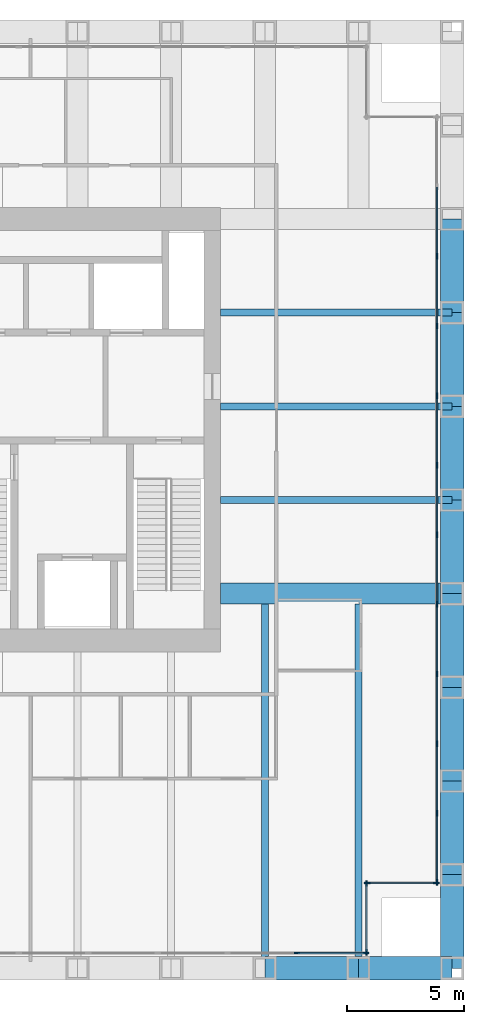
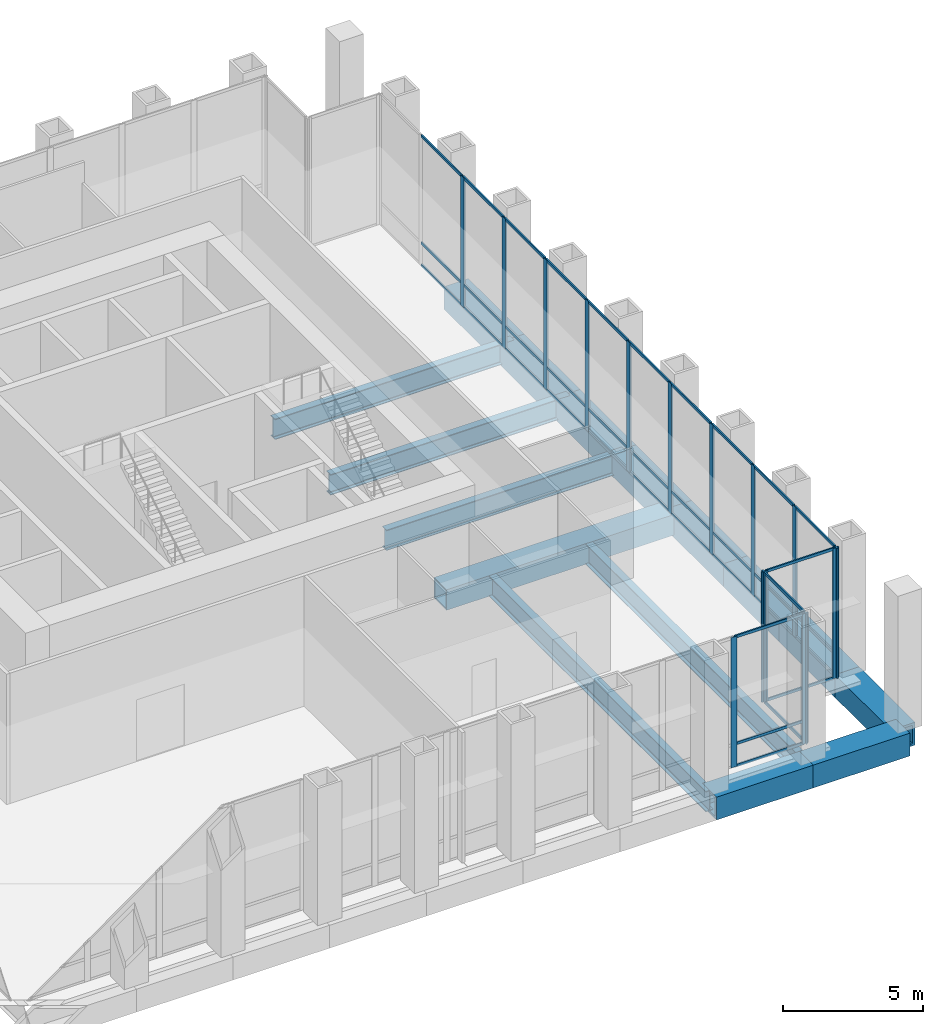
# One storey, part 5 of 12: 53 members, 16 beams, 4 elements without a shape of their own.
"""IFC4 building model written with IfcOpenShell, lengths in metres."""

from ifc_helpers import new_model, si_unit, direction, frame, origin, origin_2d, place, context, subcontext, project, spatial, rectangle, hollow_rectangle, i_section, extrude, material, material_profile, profile_set, type_object, element, aggregate, save


model = new_model("IFC4")

# Units and contexts
model_context = context("Model", 3, precision=1e-05, world=origin(), true_north=direction((0.0, 1.0)))
body_context = subcontext(model_context, "Body", "Model", "MODEL_VIEW")
ifc_project = project(units=[si_unit("LENGTHUNIT", "METRE"), si_unit("AREAUNIT", "SQUARE_METRE"), si_unit("VOLUMEUNIT", "CUBIC_METRE"), si_unit("PLANEANGLEUNIT", "RADIAN"), si_unit("MASSUNIT", "GRAM", prefix="KILO")], contexts=[model_context])

# Site, building, storey
site_placement = place(None, origin())
site = spatial("IfcSite", under=ifc_project, at=site_placement, CompositionType="ELEMENT")
building_placement = place(site_placement, origin())
building = spatial("IfcBuilding", under=site, at=building_placement, Name="Rimbunsela Tower", CompositionType="ELEMENT")
storey_placement = place(building_placement, frame((0.0, 0.0, 298.199951171875)))
storey = spatial("IfcBuildingStorey", under=building, at=storey_placement, Name="L72", CompositionType="ELEMENT", Elevation=298.199951171875)

# Beams
ifc_material_1 = material(Name="Steel BJ 55 (fy 410 MPa)", Category="steel")
ifc_material_profile_1 = material_profile(ifc_material_1, hollow_rectangle(XDim=1.0, YDim=1.0, WallThickness=0.10009765625, at=origin_2d()), Name="BOX 1000x1000x100")
ifc_profile_set_1 = profile_set([ifc_material_profile_1], Name="Steel BJ 55 (fy 410 MPa)")
beam_type_1 = type_object("IfcBeamType", Name="Beam BOX 1000x1000x100", PredefinedType="BEAM", material=ifc_profile_set_1)
for number, where, z_axis, x_axis, name in (
    (1, (38.0, 4.0, -0.64990234375), (1.0, 0.0, 0.0), (0.0, 1.0, 0.0), "Beam B3 L72"),
    (2, (42.0, 4.0, -0.64990234375), (1.0, 0.0, 0.0), (0.0, 1.0, 0.0), "Beam B3 L72"),
    (3, (46.0, 4.0, -0.64990234375), (0.0, 1.0, 0.0), (-1.0, 0.0, 0.0), "Beam B3 L72"),
    (4, (46.0, 8.0, -0.64990234375), (0.0, 1.0, 0.0), (-1.0, 0.0, 0.0), "Beam B3 L72"),
    (5, (46.0, 12.0, -0.64990234375), (0.0, 1.0, 0.0), (-1.0, 0.0, 0.0), "Beam B3 L72"),
    (6, (46.0, 16.0, -0.64990234375), (0.0, 1.0, 0.0), (-1.0, 0.0, 0.0), "Beam B3 L72"),
    (7, (46.0, 20.0, -0.64990234375), (0.0, 1.0, 0.0), (-1.0, 0.0, 0.0), "Beam B3 L72"),
    (8, (46.0, 24.0, -0.64990234375), (0.0, 1.0, 0.0), (-1.0, 0.0, 0.0), "Beam B3 L72"),
    (9, (46.0, 28.0, -0.64990234375), (0.0, 1.0, 0.0), (-1.0, 0.0, 0.0), "Beam B3 L72"),
    (10, (46.0, 32.0, -0.64990234375), (0.0, 1.0, 0.0), (-1.0, 0.0, 0.0), "Beam B3 L72"),
):
    element("IfcBeam", number, at=place(storey_placement, frame(where, z_axis=z_axis, x_axis=x_axis)), inside=storey, type_object=beam_type_1, Name=name, PredefinedType="BEAM", context=body_context, shape_type="SweptSolid", body=[
        extrude(hollow_rectangle(XDim=1.0, YDim=1.0, WallThickness=0.10009765625, at=origin_2d()), origin(), (0.0, 0.0, 1.0), 4.0),
    ])
ifc_material_2 = material(Name="Steel BJ 55 (fy 410 MPa)", Category="steel")
ifc_material_profile_2 = material_profile(ifc_material_2, hollow_rectangle(XDim=0.89990234375, YDim=0.89990234375, WallThickness=0.06005859375, at=origin_2d()), Name="BOX 900x900x60")
ifc_profile_set_2 = profile_set([ifc_material_profile_2], Name="Steel BJ 55 (fy 410 MPa)")
beam_type_2 = type_object("IfcBeamType", Name="Beam BOX 900x900x60", PredefinedType="BEAM", material=ifc_profile_set_2)
beam_placement = place(storey_placement, frame((36.10009765625, 20.0, -0.599853515625), z_axis=(1.0, 0.0, 0.0), x_axis=(0.0, 1.0, 0.0)))
element("IfcBeam", 11, at=beam_placement, inside=storey, type_object=beam_type_2, Name="Beam B1 L72", PredefinedType="BEAM", context=body_context, shape_type="SweptSolid", body=[
    extrude(hollow_rectangle(XDim=0.89990234375, YDim=0.89990234375, WallThickness=0.06005859375, at=origin_2d()), origin(), (0.0, 0.0, 1.0), 9.89990234375),
])
ifc_material_3 = material(Name="Steel BJ 55 (fy 410 MPa)", Category="steel")
ifc_material_profile_3 = material_profile(ifc_material_3, i_section(OverallWidth=0.300048828125, OverallDepth=0.89990234375, WebThickness=0.01611328125, FlangeThickness=0.028076171875, FilletRadius=0.028076171875, at=origin_2d()), Name="H 900x300x16x28")
ifc_profile_set_3 = profile_set([ifc_material_profile_3], Name="Steel BJ 55 (fy 410 MPa)")
beam_type_3 = type_object("IfcBeamType", Name="Beam H 900x300x16x28", PredefinedType="BEAM", material=ifc_profile_set_3)
for number, where, z_axis, x_axis, name in (
    (12, (36.10009765625, 24.0, -0.599853515625), (1.0, 0.0, 0.0), (0.0, 1.0, 0.0), "Beam B2 L72"),
    (13, (36.10009765625, 28.0, -0.599853515625), (1.0, 0.0, 0.0), (0.0, 1.0, 0.0), "Beam B2 L72"),
    (14, (36.10009765625, 32.0, -0.599853515625), (1.0, 0.0, 0.0), (0.0, 1.0, 0.0), "Beam B2 L72"),
):
    element("IfcBeam", number, at=place(storey_placement, frame(where, z_axis=z_axis, x_axis=x_axis)), inside=storey, type_object=beam_type_3, Name=name, PredefinedType="BEAM", context=body_context, shape_type="SweptSolid", body=[
        extrude(i_section(OverallWidth=0.300048828125, OverallDepth=0.89990234375, WebThickness=0.01611328125, FlangeThickness=0.028076171875, FilletRadius=0.028076171875, at=origin_2d()), origin(), (0.0, 0.0, 1.0), 9.89990234375),
    ])
for number, where, z_axis, x_axis, name in (
    (15, (38.0, 4.0, -0.599853515625), (0.0, 1.0, 0.0), (-1.0, 0.0, 0.0), "Beam B2 L72"),
    (16, (42.0, 4.0, -0.599853515625), (0.0, 1.0, 0.0), (-1.0, 0.0, 0.0), "Beam B2 L72"),
):
    element("IfcBeam", number, at=place(storey_placement, frame(where, z_axis=z_axis, x_axis=x_axis)), inside=storey, type_object=beam_type_3, Name=name, PredefinedType="BEAM", context=body_context, shape_type="SweptSolid", body=[
        extrude(i_section(OverallWidth=0.300048828125, OverallDepth=0.89990234375, WebThickness=0.01611328125, FlangeThickness=0.028076171875, FilletRadius=0.028076171875, at=origin_2d()), origin(), (0.0, 0.0, 1.0), 15.550048828125),
    ])

# Curtain wall, members
ifc_material_4 = material(Name="Aluminium curtain wall", Category="aluminium")
curtain_wall_type_1 = type_object("IfcCurtainWallType", Name="Corner glazing", PredefinedType="USERDEFINED", material=ifc_material_4)
curtain_wall_1_placement = place(storey_placement, origin())
curtain_wall_1 = element("IfcCurtainWall", 17, at=curtain_wall_1_placement, inside=storey, type_object=curtain_wall_type_1, Name="Corner glazing L72", ObjectType="CORNER GLAZING", PredefinedType="USERDEFINED")
ifc_material_5 = material(Name="Aluminium mullion", Category="aluminium")
ifc_material_profile_4 = material_profile(ifc_material_5, rectangle(XDim=0.06005859375, YDim=0.25, at=origin_2d()), Name="Mullion 60x250")
ifc_profile_set_4 = profile_set([ifc_material_profile_4], Name="Aluminium mullion")
member_type_1 = type_object("IfcMemberType", Name="Curtain wall mullion 60x250", PredefinedType="MULLION", material=ifc_profile_set_4)
member_1_placement = place(storey_placement, frame((42.35009765625, 4.679931640625, 0.0), z_axis=(0.0, 0.0, 1.0), x_axis=(-1.0, 0.0, 0.0)))
member_1 = element("IfcMember", 18, at=member_1_placement, type_object=member_type_1, Name="CW5 mullion 1", PredefinedType="MULLION", context=body_context, shape_type="SweptSolid", body=[
    extrude(rectangle(XDim=0.06005859375, YDim=0.25, at=origin_2d()), origin(), (0.0, 0.0, 1.0), 5.699951171875),
])
member_2_placement = place(storey_placement, frame((42.35009765625, 7.6201171875, 0.0), z_axis=(0.0, 0.0, 1.0), x_axis=(-1.0, 0.0, 0.0)))
member_2 = element("IfcMember", 19, at=member_2_placement, type_object=member_type_1, Name="CW5 mullion 2", PredefinedType="MULLION", context=body_context, shape_type="SweptSolid", body=[
    extrude(rectangle(XDim=0.06005859375, YDim=0.25, at=origin_2d()), origin(), (0.0, 0.0, 1.0), 5.699951171875),
])

curtain_wall_2_placement = place(storey_placement, origin())
curtain_wall_2 = element("IfcCurtainWall", 20, at=curtain_wall_2_placement, inside=storey, type_object=curtain_wall_type_1, Name="Corner glazing L72", ObjectType="CORNER GLAZING", PredefinedType="USERDEFINED")
member_3_placement = place(storey_placement, frame((42.3798828125, 7.64990234375, 0.0), z_axis=(0.0, 0.0, 1.0), x_axis=(0.0, 1.0, 0.0)))
member_3 = element("IfcMember", 21, at=member_3_placement, type_object=member_type_1, Name="CW5 mullion 1", PredefinedType="MULLION", context=body_context, shape_type="SweptSolid", body=[
    extrude(rectangle(XDim=0.06005859375, YDim=0.25, at=origin_2d()), origin(), (0.0, 0.0, 1.0), 5.699951171875),
])
member_4_placement = place(storey_placement, frame((45.320068359375, 7.64990234375, 0.0), z_axis=(0.0, 0.0, 1.0), x_axis=(0.0, 1.0, 0.0)))
member_4 = element("IfcMember", 22, at=member_4_placement, type_object=member_type_1, Name="CW5 mullion 2", PredefinedType="MULLION", context=body_context, shape_type="SweptSolid", body=[
    extrude(rectangle(XDim=0.06005859375, YDim=0.25, at=origin_2d()), origin(), (0.0, 0.0, 1.0), 5.699951171875),
])

ifc_material_6 = material(Name="Aluminium curtain wall", Category="aluminium")
curtain_wall_type_2 = type_object("IfcCurtainWallType", Name="Crown glazing", PredefinedType="USERDEFINED", material=ifc_material_6)
curtain_wall_3_placement = place(storey_placement, origin())
curtain_wall_3 = element("IfcCurtainWall", 23, at=curtain_wall_3_placement, inside=storey, type_object=curtain_wall_type_2, Name="Crown glazing L72", ObjectType="CROWN GLAZING", PredefinedType="USERDEFINED")
member_5_placement = place(storey_placement, frame((45.35009765625, 7.679931640625, 0.0), z_axis=(0.0, 0.0, 1.0), x_axis=(-1.0, 0.0, 0.0)))
member_5 = element("IfcMember", 24, at=member_5_placement, type_object=member_type_1, Name="CW6 mullion 1", PredefinedType="MULLION", context=body_context, shape_type="SweptSolid", body=[
    extrude(rectangle(XDim=0.06005859375, YDim=0.25, at=origin_2d()), origin(), (0.0, 0.0, 1.0), 5.699951171875),
])
member_6_placement = place(storey_placement, frame((45.35009765625, 10.622802734375, 0.0), z_axis=(0.0, 0.0, 1.0), x_axis=(-1.0, 0.0, 0.0)))
member_6 = element("IfcMember", 25, at=member_6_placement, type_object=member_type_1, Name="CW6 mullion 2", PredefinedType="MULLION", context=body_context, shape_type="SweptSolid", body=[
    extrude(rectangle(XDim=0.06005859375, YDim=0.25, at=origin_2d()), origin(), (0.0, 0.0, 1.0), 5.699951171875),
])
member_7_placement = place(storey_placement, frame((45.35009765625, 13.595458984375, 0.0), z_axis=(0.0, 0.0, 1.0), x_axis=(-1.0, 0.0, 0.0)))
member_7 = element("IfcMember", 26, at=member_7_placement, type_object=member_type_1, Name="CW6 mullion 3", PredefinedType="MULLION", context=body_context, shape_type="SweptSolid", body=[
    extrude(rectangle(XDim=0.06005859375, YDim=0.25, at=origin_2d()), origin(), (0.0, 0.0, 1.0), 5.699951171875),
])
member_8_placement = place(storey_placement, frame((45.35009765625, 16.568115234375, 0.0), z_axis=(0.0, 0.0, 1.0), x_axis=(-1.0, 0.0, 0.0)))
member_8 = element("IfcMember", 27, at=member_8_placement, type_object=member_type_1, Name="CW6 mullion 4", PredefinedType="MULLION", context=body_context, shape_type="SweptSolid", body=[
    extrude(rectangle(XDim=0.06005859375, YDim=0.25, at=origin_2d()), origin(), (0.0, 0.0, 1.0), 5.699951171875),
])
member_9_placement = place(storey_placement, frame((45.35009765625, 19.541015625, 0.0), z_axis=(0.0, 0.0, 1.0), x_axis=(-1.0, 0.0, 0.0)))
member_9 = element("IfcMember", 28, at=member_9_placement, type_object=member_type_1, Name="CW6 mullion 5", PredefinedType="MULLION", context=body_context, shape_type="SweptSolid", body=[
    extrude(rectangle(XDim=0.06005859375, YDim=0.25, at=origin_2d()), origin(), (0.0, 0.0, 1.0), 5.699951171875),
])
member_10_placement = place(storey_placement, frame((45.35009765625, 22.513671875, 0.0), z_axis=(0.0, 0.0, 1.0), x_axis=(-1.0, 0.0, 0.0)))
member_10 = element("IfcMember", 29, at=member_10_placement, type_object=member_type_1, Name="CW6 mullion 6", PredefinedType="MULLION", context=body_context, shape_type="SweptSolid", body=[
    extrude(rectangle(XDim=0.06005859375, YDim=0.25, at=origin_2d()), origin(), (0.0, 0.0, 1.0), 5.699951171875),
])
member_11_placement = place(storey_placement, frame((45.35009765625, 25.486328125, 0.0), z_axis=(0.0, 0.0, 1.0), x_axis=(-1.0, 0.0, 0.0)))
member_11 = element("IfcMember", 30, at=member_11_placement, type_object=member_type_1, Name="CW6 mullion 7", PredefinedType="MULLION", context=body_context, shape_type="SweptSolid", body=[
    extrude(rectangle(XDim=0.06005859375, YDim=0.25, at=origin_2d()), origin(), (0.0, 0.0, 1.0), 5.699951171875),
])
member_12_placement = place(storey_placement, frame((45.35009765625, 28.458984375, 0.0), z_axis=(0.0, 0.0, 1.0), x_axis=(-1.0, 0.0, 0.0)))
member_12 = element("IfcMember", 31, at=member_12_placement, type_object=member_type_1, Name="CW6 mullion 8", PredefinedType="MULLION", context=body_context, shape_type="SweptSolid", body=[
    extrude(rectangle(XDim=0.06005859375, YDim=0.25, at=origin_2d()), origin(), (0.0, 0.0, 1.0), 5.699951171875),
])
member_13_placement = place(storey_placement, frame((45.35009765625, 31.431884765625, 0.0), z_axis=(0.0, 0.0, 1.0), x_axis=(-1.0, 0.0, 0.0)))
member_13 = element("IfcMember", 32, at=member_13_placement, type_object=member_type_1, Name="CW6 mullion 9", PredefinedType="MULLION", context=body_context, shape_type="SweptSolid", body=[
    extrude(rectangle(XDim=0.06005859375, YDim=0.25, at=origin_2d()), origin(), (0.0, 0.0, 1.0), 5.699951171875),
])
member_14_placement = place(storey_placement, frame((45.35009765625, 34.404541015625, 0.0), z_axis=(0.0, 0.0, 1.0), x_axis=(-1.0, 0.0, 0.0)))
member_14 = element("IfcMember", 33, at=member_14_placement, type_object=member_type_1, Name="CW6 mullion 10", PredefinedType="MULLION", context=body_context, shape_type="SweptSolid", body=[
    extrude(rectangle(XDim=0.06005859375, YDim=0.25, at=origin_2d()), origin(), (0.0, 0.0, 1.0), 5.699951171875),
])

curtain_wall_4_placement = place(storey_placement, origin())
curtain_wall_4 = element("IfcCurtainWall", 34, at=curtain_wall_4_placement, inside=storey, type_object=curtain_wall_type_2, Name="Crown glazing L72", ObjectType="CROWN GLAZING", PredefinedType="USERDEFINED")
member_15_placement = place(storey_placement, frame((39.377197265625, 4.64990234375, 0.0), z_axis=(0.0, 0.0, 1.0), x_axis=(0.0, 1.0, 0.0)))
member_15 = element("IfcMember", 35, at=member_15_placement, type_object=member_type_1, Name="CW6 mullion 11", PredefinedType="MULLION", context=body_context, shape_type="SweptSolid", body=[
    extrude(rectangle(XDim=0.06005859375, YDim=0.25, at=origin_2d()), origin(), (0.0, 0.0, 1.0), 5.699951171875),
])
member_16_placement = place(storey_placement, frame((42.320068359375, 4.64990234375, 0.0), z_axis=(0.0, 0.0, 1.0), x_axis=(0.0, 1.0, 0.0)))
member_16 = element("IfcMember", 36, at=member_16_placement, type_object=member_type_1, Name="CW6 mullion 12", PredefinedType="MULLION", context=body_context, shape_type="SweptSolid", body=[
    extrude(rectangle(XDim=0.06005859375, YDim=0.25, at=origin_2d()), origin(), (0.0, 0.0, 1.0), 5.699951171875),
])

# Member
ifc_material_7 = material(Name="Aluminium transom", Category="aluminium")
ifc_material_profile_5 = material_profile(ifc_material_7, rectangle(XDim=0.06005859375, YDim=0.1201171875, at=origin_2d()), Name="Transom 60x120")
ifc_profile_set_5 = profile_set([ifc_material_profile_5], Name="Aluminium transom")
member_type_2 = type_object("IfcMemberType", Name="Curtain wall transom 60x120", PredefinedType="USERDEFINED", material=ifc_profile_set_5)
member_17_placement = place(storey_placement, frame((42.35009765625, 4.7099609375, 0.030029296875), z_axis=(0.0, 1.0, 0.0), x_axis=(-1.0, 0.0, 0.0)))
member_17 = element("IfcMember", 37, at=member_17_placement, type_object=member_type_2, Name="CW5 transom 1.1", ObjectType="TRANSOM", PredefinedType="USERDEFINED", context=body_context, shape_type="SweptSolid", body=[
    extrude(rectangle(XDim=0.06005859375, YDim=0.1201171875, at=origin_2d()), origin(), (0.0, 0.0, 1.0), 2.880126953125),
])

member_18_placement = place(storey_placement, frame((42.35009765625, 4.7099609375, 5.670166015625), z_axis=(0.0, 1.0, 0.0), x_axis=(-1.0, 0.0, 0.0)))
member_18 = element("IfcMember", 38, at=member_18_placement, type_object=member_type_2, Name="CW5 transom 1.2", ObjectType="TRANSOM", PredefinedType="USERDEFINED", context=body_context, shape_type="SweptSolid", body=[
    extrude(rectangle(XDim=0.06005859375, YDim=0.1201171875, at=origin_2d()), origin(), (0.0, 0.0, 1.0), 2.880126953125),
])

aggregate(curtain_wall_1, [member_1, member_2, member_17, member_18])

member_19_placement = place(storey_placement, frame((42.409912109375, 7.64990234375, 0.030029296875), z_axis=(1.0, 0.0, 0.0), x_axis=(0.0, 1.0, 0.0)))
member_19 = element("IfcMember", 39, at=member_19_placement, type_object=member_type_2, Name="CW5 transom 1.1", ObjectType="TRANSOM", PredefinedType="USERDEFINED", context=body_context, shape_type="SweptSolid", body=[
    extrude(rectangle(XDim=0.06005859375, YDim=0.1201171875, at=origin_2d()), origin(), (0.0, 0.0, 1.0), 2.880126953125),
])

member_20_placement = place(storey_placement, frame((42.409912109375, 7.64990234375, 5.670166015625), z_axis=(1.0, 0.0, 0.0), x_axis=(0.0, 1.0, 0.0)))
member_20 = element("IfcMember", 40, at=member_20_placement, type_object=member_type_2, Name="CW5 transom 1.2", ObjectType="TRANSOM", PredefinedType="USERDEFINED", context=body_context, shape_type="SweptSolid", body=[
    extrude(rectangle(XDim=0.06005859375, YDim=0.1201171875, at=origin_2d()), origin(), (0.0, 0.0, 1.0), 2.880126953125),
])

aggregate(curtain_wall_2, [member_3, member_4, member_19, member_20])

member_21_placement = place(storey_placement, frame((45.35009765625, 7.7099609375, 0.030029296875), z_axis=(0.0, 1.0, 0.0), x_axis=(-1.0, 0.0, 0.0)))
member_21 = element("IfcMember", 41, at=member_21_placement, type_object=member_type_2, Name="CW6 transom 1.1", ObjectType="TRANSOM", PredefinedType="USERDEFINED", context=body_context, shape_type="SweptSolid", body=[
    extrude(rectangle(XDim=0.06005859375, YDim=0.1201171875, at=origin_2d()), origin(), (0.0, 0.0, 1.0), 2.8828125),
])

member_22_placement = place(storey_placement, frame((45.35009765625, 7.7099609375, 1.0), z_axis=(0.0, 1.0, 0.0), x_axis=(-1.0, 0.0, 0.0)))
member_22 = element("IfcMember", 42, at=member_22_placement, type_object=member_type_2, Name="CW6 transom 1.2", ObjectType="TRANSOM", PredefinedType="USERDEFINED", context=body_context, shape_type="SweptSolid", body=[
    extrude(rectangle(XDim=0.06005859375, YDim=0.1201171875, at=origin_2d()), origin(), (0.0, 0.0, 1.0), 2.8828125),
])

member_23_placement = place(storey_placement, frame((45.35009765625, 7.7099609375, 5.670166015625), z_axis=(0.0, 1.0, 0.0), x_axis=(-1.0, 0.0, 0.0)))
member_23 = element("IfcMember", 43, at=member_23_placement, type_object=member_type_2, Name="CW6 transom 1.3", ObjectType="TRANSOM", PredefinedType="USERDEFINED", context=body_context, shape_type="SweptSolid", body=[
    extrude(rectangle(XDim=0.06005859375, YDim=0.1201171875, at=origin_2d()), origin(), (0.0, 0.0, 1.0), 2.8828125),
])

member_24_placement = place(storey_placement, frame((45.35009765625, 10.65283203125, 0.030029296875), z_axis=(0.0, 1.0, 0.0), x_axis=(-1.0, 0.0, 0.0)))
member_24 = element("IfcMember", 44, at=member_24_placement, type_object=member_type_2, Name="CW6 transom 2.1", ObjectType="TRANSOM", PredefinedType="USERDEFINED", context=body_context, shape_type="SweptSolid", body=[
    extrude(rectangle(XDim=0.06005859375, YDim=0.1201171875, at=origin_2d()), origin(), (0.0, 0.0, 1.0), 2.91259765625),
])

member_25_placement = place(storey_placement, frame((45.35009765625, 10.65283203125, 1.0), z_axis=(0.0, 1.0, 0.0), x_axis=(-1.0, 0.0, 0.0)))
member_25 = element("IfcMember", 45, at=member_25_placement, type_object=member_type_2, Name="CW6 transom 2.2", ObjectType="TRANSOM", PredefinedType="USERDEFINED", context=body_context, shape_type="SweptSolid", body=[
    extrude(rectangle(XDim=0.06005859375, YDim=0.1201171875, at=origin_2d()), origin(), (0.0, 0.0, 1.0), 2.91259765625),
])

member_26_placement = place(storey_placement, frame((45.35009765625, 10.65283203125, 5.670166015625), z_axis=(0.0, 1.0, 0.0), x_axis=(-1.0, 0.0, 0.0)))
member_26 = element("IfcMember", 46, at=member_26_placement, type_object=member_type_2, Name="CW6 transom 2.3", ObjectType="TRANSOM", PredefinedType="USERDEFINED", context=body_context, shape_type="SweptSolid", body=[
    extrude(rectangle(XDim=0.06005859375, YDim=0.1201171875, at=origin_2d()), origin(), (0.0, 0.0, 1.0), 2.91259765625),
])

member_27_placement = place(storey_placement, frame((45.35009765625, 13.62548828125, 0.030029296875), z_axis=(0.0, 1.0, 0.0), x_axis=(-1.0, 0.0, 0.0)))
member_27 = element("IfcMember", 47, at=member_27_placement, type_object=member_type_2, Name="CW6 transom 3.1", ObjectType="TRANSOM", PredefinedType="USERDEFINED", context=body_context, shape_type="SweptSolid", body=[
    extrude(rectangle(XDim=0.06005859375, YDim=0.1201171875, at=origin_2d()), origin(), (0.0, 0.0, 1.0), 2.91259765625),
])

member_28_placement = place(storey_placement, frame((45.35009765625, 13.62548828125, 1.0), z_axis=(0.0, 1.0, 0.0), x_axis=(-1.0, 0.0, 0.0)))
member_28 = element("IfcMember", 48, at=member_28_placement, type_object=member_type_2, Name="CW6 transom 3.2", ObjectType="TRANSOM", PredefinedType="USERDEFINED", context=body_context, shape_type="SweptSolid", body=[
    extrude(rectangle(XDim=0.06005859375, YDim=0.1201171875, at=origin_2d()), origin(), (0.0, 0.0, 1.0), 2.91259765625),
])

member_29_placement = place(storey_placement, frame((45.35009765625, 13.62548828125, 5.670166015625), z_axis=(0.0, 1.0, 0.0), x_axis=(-1.0, 0.0, 0.0)))
member_29 = element("IfcMember", 49, at=member_29_placement, type_object=member_type_2, Name="CW6 transom 3.3", ObjectType="TRANSOM", PredefinedType="USERDEFINED", context=body_context, shape_type="SweptSolid", body=[
    extrude(rectangle(XDim=0.06005859375, YDim=0.1201171875, at=origin_2d()), origin(), (0.0, 0.0, 1.0), 2.91259765625),
])

member_30_placement = place(storey_placement, frame((45.35009765625, 16.59814453125, 0.030029296875), z_axis=(0.0, 1.0, 0.0), x_axis=(-1.0, 0.0, 0.0)))
member_30 = element("IfcMember", 50, at=member_30_placement, type_object=member_type_2, Name="CW6 transom 4.1", ObjectType="TRANSOM", PredefinedType="USERDEFINED", context=body_context, shape_type="SweptSolid", body=[
    extrude(rectangle(XDim=0.06005859375, YDim=0.1201171875, at=origin_2d()), origin(), (0.0, 0.0, 1.0), 2.912841796875),
])

member_31_placement = place(storey_placement, frame((45.35009765625, 16.59814453125, 1.0), z_axis=(0.0, 1.0, 0.0), x_axis=(-1.0, 0.0, 0.0)))
member_31 = element("IfcMember", 51, at=member_31_placement, type_object=member_type_2, Name="CW6 transom 4.2", ObjectType="TRANSOM", PredefinedType="USERDEFINED", context=body_context, shape_type="SweptSolid", body=[
    extrude(rectangle(XDim=0.06005859375, YDim=0.1201171875, at=origin_2d()), origin(), (0.0, 0.0, 1.0), 2.912841796875),
])

member_32_placement = place(storey_placement, frame((45.35009765625, 16.59814453125, 5.670166015625), z_axis=(0.0, 1.0, 0.0), x_axis=(-1.0, 0.0, 0.0)))
member_32 = element("IfcMember", 52, at=member_32_placement, type_object=member_type_2, Name="CW6 transom 4.3", ObjectType="TRANSOM", PredefinedType="USERDEFINED", context=body_context, shape_type="SweptSolid", body=[
    extrude(rectangle(XDim=0.06005859375, YDim=0.1201171875, at=origin_2d()), origin(), (0.0, 0.0, 1.0), 2.912841796875),
])

member_33_placement = place(storey_placement, frame((45.35009765625, 19.57080078125, 0.030029296875), z_axis=(0.0, 1.0, 0.0), x_axis=(-1.0, 0.0, 0.0)))
member_33 = element("IfcMember", 53, at=member_33_placement, type_object=member_type_2, Name="CW6 transom 5.1", ObjectType="TRANSOM", PredefinedType="USERDEFINED", context=body_context, shape_type="SweptSolid", body=[
    extrude(rectangle(XDim=0.06005859375, YDim=0.1201171875, at=origin_2d()), origin(), (0.0, 0.0, 1.0), 2.912841796875),
])

member_34_placement = place(storey_placement, frame((45.35009765625, 19.57080078125, 1.0), z_axis=(0.0, 1.0, 0.0), x_axis=(-1.0, 0.0, 0.0)))
member_34 = element("IfcMember", 54, at=member_34_placement, type_object=member_type_2, Name="CW6 transom 5.2", ObjectType="TRANSOM", PredefinedType="USERDEFINED", context=body_context, shape_type="SweptSolid", body=[
    extrude(rectangle(XDim=0.06005859375, YDim=0.1201171875, at=origin_2d()), origin(), (0.0, 0.0, 1.0), 2.912841796875),
])

member_35_placement = place(storey_placement, frame((45.35009765625, 19.57080078125, 5.670166015625), z_axis=(0.0, 1.0, 0.0), x_axis=(-1.0, 0.0, 0.0)))
member_35 = element("IfcMember", 55, at=member_35_placement, type_object=member_type_2, Name="CW6 transom 5.3", ObjectType="TRANSOM", PredefinedType="USERDEFINED", context=body_context, shape_type="SweptSolid", body=[
    extrude(rectangle(XDim=0.06005859375, YDim=0.1201171875, at=origin_2d()), origin(), (0.0, 0.0, 1.0), 2.912841796875),
])

member_36_placement = place(storey_placement, frame((45.35009765625, 22.543701171875, 0.030029296875), z_axis=(0.0, 1.0, 0.0), x_axis=(-1.0, 0.0, 0.0)))
member_36 = element("IfcMember", 56, at=member_36_placement, type_object=member_type_2, Name="CW6 transom 6.1", ObjectType="TRANSOM", PredefinedType="USERDEFINED", context=body_context, shape_type="SweptSolid", body=[
    extrude(rectangle(XDim=0.06005859375, YDim=0.1201171875, at=origin_2d()), origin(), (0.0, 0.0, 1.0), 2.91259765625),
])

member_37_placement = place(storey_placement, frame((45.35009765625, 22.543701171875, 1.0), z_axis=(0.0, 1.0, 0.0), x_axis=(-1.0, 0.0, 0.0)))
member_37 = element("IfcMember", 57, at=member_37_placement, type_object=member_type_2, Name="CW6 transom 6.2", ObjectType="TRANSOM", PredefinedType="USERDEFINED", context=body_context, shape_type="SweptSolid", body=[
    extrude(rectangle(XDim=0.06005859375, YDim=0.1201171875, at=origin_2d()), origin(), (0.0, 0.0, 1.0), 2.91259765625),
])

member_38_placement = place(storey_placement, frame((45.35009765625, 22.543701171875, 5.670166015625), z_axis=(0.0, 1.0, 0.0), x_axis=(-1.0, 0.0, 0.0)))
member_38 = element("IfcMember", 58, at=member_38_placement, type_object=member_type_2, Name="CW6 transom 6.3", ObjectType="TRANSOM", PredefinedType="USERDEFINED", context=body_context, shape_type="SweptSolid", body=[
    extrude(rectangle(XDim=0.06005859375, YDim=0.1201171875, at=origin_2d()), origin(), (0.0, 0.0, 1.0), 2.91259765625),
])

member_39_placement = place(storey_placement, frame((45.35009765625, 25.516357421875, 0.030029296875), z_axis=(0.0, 1.0, 0.0), x_axis=(-1.0, 0.0, 0.0)))
member_39 = element("IfcMember", 59, at=member_39_placement, type_object=member_type_2, Name="CW6 transom 7.1", ObjectType="TRANSOM", PredefinedType="USERDEFINED", context=body_context, shape_type="SweptSolid", body=[
    extrude(rectangle(XDim=0.06005859375, YDim=0.1201171875, at=origin_2d()), origin(), (0.0, 0.0, 1.0), 2.912841796875),
])

member_40_placement = place(storey_placement, frame((45.35009765625, 25.516357421875, 1.0), z_axis=(0.0, 1.0, 0.0), x_axis=(-1.0, 0.0, 0.0)))
member_40 = element("IfcMember", 60, at=member_40_placement, type_object=member_type_2, Name="CW6 transom 7.2", ObjectType="TRANSOM", PredefinedType="USERDEFINED", context=body_context, shape_type="SweptSolid", body=[
    extrude(rectangle(XDim=0.06005859375, YDim=0.1201171875, at=origin_2d()), origin(), (0.0, 0.0, 1.0), 2.912841796875),
])

member_41_placement = place(storey_placement, frame((45.35009765625, 25.516357421875, 5.670166015625), z_axis=(0.0, 1.0, 0.0), x_axis=(-1.0, 0.0, 0.0)))
member_41 = element("IfcMember", 61, at=member_41_placement, type_object=member_type_2, Name="CW6 transom 7.3", ObjectType="TRANSOM", PredefinedType="USERDEFINED", context=body_context, shape_type="SweptSolid", body=[
    extrude(rectangle(XDim=0.06005859375, YDim=0.1201171875, at=origin_2d()), origin(), (0.0, 0.0, 1.0), 2.912841796875),
])

member_42_placement = place(storey_placement, frame((45.35009765625, 28.489013671875, 0.030029296875), z_axis=(0.0, 1.0, 0.0), x_axis=(-1.0, 0.0, 0.0)))
member_42 = element("IfcMember", 62, at=member_42_placement, type_object=member_type_2, Name="CW6 transom 8.1", ObjectType="TRANSOM", PredefinedType="USERDEFINED", context=body_context, shape_type="SweptSolid", body=[
    extrude(rectangle(XDim=0.06005859375, YDim=0.1201171875, at=origin_2d()), origin(), (0.0, 0.0, 1.0), 2.912841796875),
])

member_43_placement = place(storey_placement, frame((45.35009765625, 28.489013671875, 1.0), z_axis=(0.0, 1.0, 0.0), x_axis=(-1.0, 0.0, 0.0)))
member_43 = element("IfcMember", 63, at=member_43_placement, type_object=member_type_2, Name="CW6 transom 8.2", ObjectType="TRANSOM", PredefinedType="USERDEFINED", context=body_context, shape_type="SweptSolid", body=[
    extrude(rectangle(XDim=0.06005859375, YDim=0.1201171875, at=origin_2d()), origin(), (0.0, 0.0, 1.0), 2.912841796875),
])

member_44_placement = place(storey_placement, frame((45.35009765625, 28.489013671875, 5.670166015625), z_axis=(0.0, 1.0, 0.0), x_axis=(-1.0, 0.0, 0.0)))
member_44 = element("IfcMember", 64, at=member_44_placement, type_object=member_type_2, Name="CW6 transom 8.3", ObjectType="TRANSOM", PredefinedType="USERDEFINED", context=body_context, shape_type="SweptSolid", body=[
    extrude(rectangle(XDim=0.06005859375, YDim=0.1201171875, at=origin_2d()), origin(), (0.0, 0.0, 1.0), 2.912841796875),
])

member_45_placement = place(storey_placement, frame((45.35009765625, 31.4619140625, 0.030029296875), z_axis=(0.0, 1.0, 0.0), x_axis=(-1.0, 0.0, 0.0)))
member_45 = element("IfcMember", 65, at=member_45_placement, type_object=member_type_2, Name="CW6 transom 9.1", ObjectType="TRANSOM", PredefinedType="USERDEFINED", context=body_context, shape_type="SweptSolid", body=[
    extrude(rectangle(XDim=0.06005859375, YDim=0.1201171875, at=origin_2d()), origin(), (0.0, 0.0, 1.0), 2.91259765625),
])

member_46_placement = place(storey_placement, frame((45.35009765625, 31.4619140625, 1.0), z_axis=(0.0, 1.0, 0.0), x_axis=(-1.0, 0.0, 0.0)))
member_46 = element("IfcMember", 66, at=member_46_placement, type_object=member_type_2, Name="CW6 transom 9.2", ObjectType="TRANSOM", PredefinedType="USERDEFINED", context=body_context, shape_type="SweptSolid", body=[
    extrude(rectangle(XDim=0.06005859375, YDim=0.1201171875, at=origin_2d()), origin(), (0.0, 0.0, 1.0), 2.91259765625),
])

member_47_placement = place(storey_placement, frame((45.35009765625, 31.4619140625, 5.670166015625), z_axis=(0.0, 1.0, 0.0), x_axis=(-1.0, 0.0, 0.0)))
member_47 = element("IfcMember", 67, at=member_47_placement, type_object=member_type_2, Name="CW6 transom 9.3", ObjectType="TRANSOM", PredefinedType="USERDEFINED", context=body_context, shape_type="SweptSolid", body=[
    extrude(rectangle(XDim=0.06005859375, YDim=0.1201171875, at=origin_2d()), origin(), (0.0, 0.0, 1.0), 2.91259765625),
])

member_48_placement = place(storey_placement, frame((45.35009765625, 34.4345703125, 0.030029296875), z_axis=(0.0, 1.0, 0.0), x_axis=(-1.0, 0.0, 0.0)))
member_48 = element("IfcMember", 68, at=member_48_placement, type_object=member_type_2, Name="CW6 transom 10.1", ObjectType="TRANSOM", PredefinedType="USERDEFINED", context=body_context, shape_type="SweptSolid", body=[
    extrude(rectangle(XDim=0.06005859375, YDim=0.1201171875, at=origin_2d()), origin(), (0.0, 0.0, 1.0), 2.91259765625),
])

member_49_placement = place(storey_placement, frame((45.35009765625, 34.4345703125, 1.0), z_axis=(0.0, 1.0, 0.0), x_axis=(-1.0, 0.0, 0.0)))
member_49 = element("IfcMember", 69, at=member_49_placement, type_object=member_type_2, Name="CW6 transom 10.2", ObjectType="TRANSOM", PredefinedType="USERDEFINED", context=body_context, shape_type="SweptSolid", body=[
    extrude(rectangle(XDim=0.06005859375, YDim=0.1201171875, at=origin_2d()), origin(), (0.0, 0.0, 1.0), 2.91259765625),
])

member_50_placement = place(storey_placement, frame((45.35009765625, 34.4345703125, 5.670166015625), z_axis=(0.0, 1.0, 0.0), x_axis=(-1.0, 0.0, 0.0)))
member_50 = element("IfcMember", 70, at=member_50_placement, type_object=member_type_2, Name="CW6 transom 10.3", ObjectType="TRANSOM", PredefinedType="USERDEFINED", context=body_context, shape_type="SweptSolid", body=[
    extrude(rectangle(XDim=0.06005859375, YDim=0.1201171875, at=origin_2d()), origin(), (0.0, 0.0, 1.0), 2.91259765625),
])

aggregate(curtain_wall_3, [member_5, member_6, member_7, member_8, member_9, member_10, member_11, member_12, member_13, member_14, member_21, member_22, member_23, member_24, member_25, member_26, member_27, member_28, member_29, member_30, member_31, member_32, member_33, member_34, member_35, member_36, member_37, member_38, member_39, member_40, member_41, member_42, member_43, member_44, member_45, member_46, member_47, member_48, member_49, member_50])

member_51_placement = place(storey_placement, frame((39.4072265625, 4.64990234375, 0.030029296875), z_axis=(1.0, 0.0, 0.0), x_axis=(0.0, 1.0, 0.0)))
member_51 = element("IfcMember", 71, at=member_51_placement, type_object=member_type_2, Name="CW6 transom 11.1", ObjectType="TRANSOM", PredefinedType="USERDEFINED", context=body_context, shape_type="SweptSolid", body=[
    extrude(rectangle(XDim=0.06005859375, YDim=0.1201171875, at=origin_2d()), origin(), (0.0, 0.0, 1.0), 2.8828125),
])

member_52_placement = place(storey_placement, frame((39.4072265625, 4.64990234375, 1.0), z_axis=(1.0, 0.0, 0.0), x_axis=(0.0, 1.0, 0.0)))
member_52 = element("IfcMember", 72, at=member_52_placement, type_object=member_type_2, Name="CW6 transom 11.2", ObjectType="TRANSOM", PredefinedType="USERDEFINED", context=body_context, shape_type="SweptSolid", body=[
    extrude(rectangle(XDim=0.06005859375, YDim=0.1201171875, at=origin_2d()), origin(), (0.0, 0.0, 1.0), 2.8828125),
])

member_53_placement = place(storey_placement, frame((39.4072265625, 4.64990234375, 5.670166015625), z_axis=(1.0, 0.0, 0.0), x_axis=(0.0, 1.0, 0.0)))
member_53 = element("IfcMember", 73, at=member_53_placement, type_object=member_type_2, Name="CW6 transom 11.3", ObjectType="TRANSOM", PredefinedType="USERDEFINED", context=body_context, shape_type="SweptSolid", body=[
    extrude(rectangle(XDim=0.06005859375, YDim=0.1201171875, at=origin_2d()), origin(), (0.0, 0.0, 1.0), 2.8828125),
])

aggregate(curtain_wall_4, [member_15, member_16, member_51, member_52, member_53])

save(model, "model.ifc")
